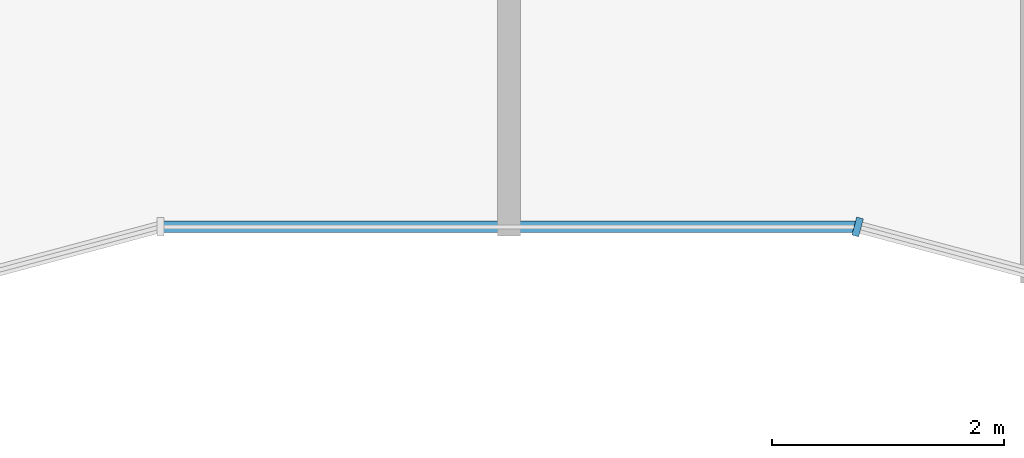
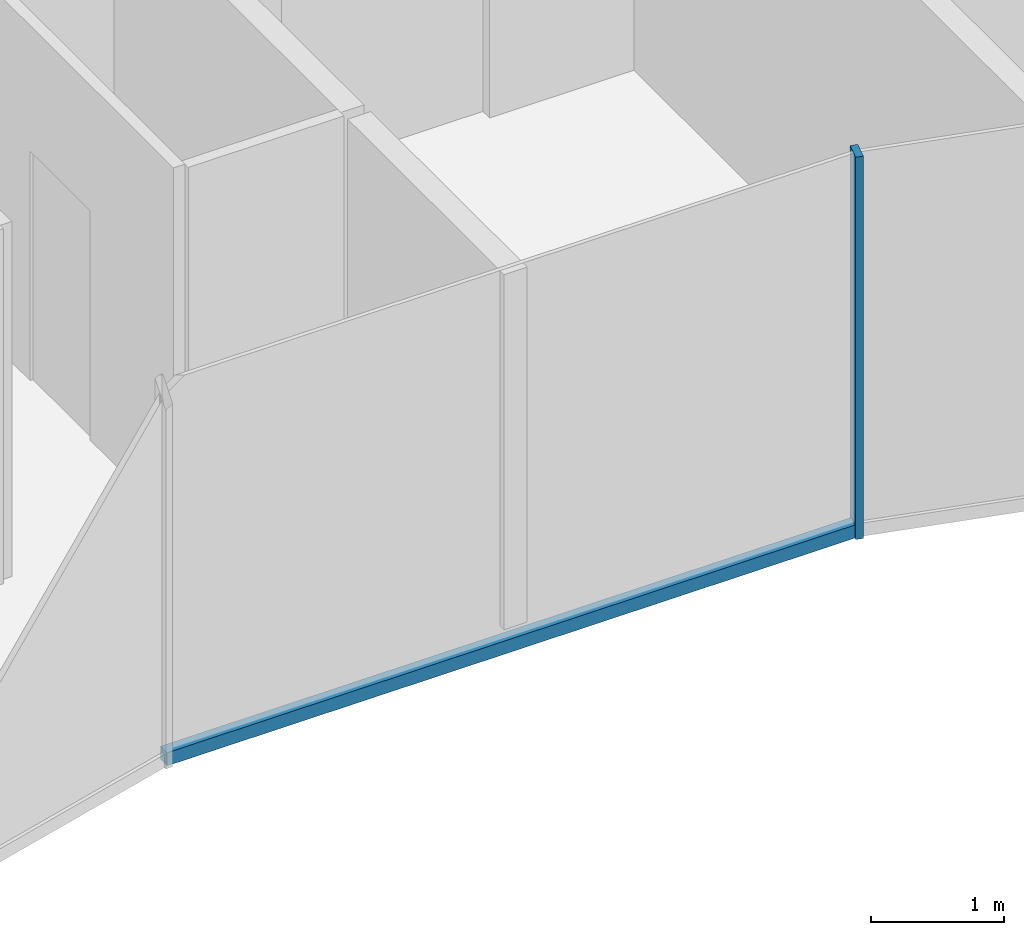
# One storey, part 3 of 10: 2 members, 2 elements without a shape of their own.
"""IFC4 building model written with IfcOpenShell, lengths in metres."""

from ifc_helpers import new_model, si_unit, direction, frame, origin, origin_2d, place, context, subcontext, project, spatial, rectangle, extrude, material, layer, layer_set, material_profile, profile_set, type_object, element, aggregate, save


model = new_model("IFC4")

# Units and contexts
model_context = context("Model", 3, precision=1e-05, world=origin(), true_north=direction((0.0, 1.0)))
body_context = subcontext(model_context, "Body", "Model", "MODEL_VIEW")
ifc_project = project(units=[si_unit("LENGTHUNIT", "METRE"), si_unit("AREAUNIT", "SQUARE_METRE"), si_unit("VOLUMEUNIT", "CUBIC_METRE"), si_unit("PLANEANGLEUNIT", "RADIAN"), si_unit("MASSUNIT", "GRAM", prefix="KILO")], contexts=[model_context])

# Site, building, storey
site_placement = place(None, origin())
site = spatial("IfcSite", under=ifc_project, at=site_placement, CompositionType="ELEMENT")
building_placement = place(site_placement, origin())
building = spatial("IfcBuilding", under=site, at=building_placement, Name="Plateau Cross Towers", CompositionType="ELEMENT")
storey_placement = place(building_placement, frame((0.0, 0.0, 259.89990234375)))
storey = spatial("IfcBuildingStorey", under=building, at=storey_placement, Name="L68", CompositionType="ELEMENT", Elevation=259.89990234375)

# Curtain wall, member
ifc_material_1 = material(Name="Dark low-iron glass", Category="glass")
ifc_layer = layer(ifc_material_1, 0.260009765625)
ifc_layer_set = layer_set([ifc_layer], Name="Dark low-iron glass")
curtain_wall_type = type_object("IfcCurtainWallType", Name="Curtain wall fluted unitised CW-A", PredefinedType="NOTDEFINED", material=ifc_layer_set)
curtain_wall_1_placement = place(storey_placement, origin())
curtain_wall_1 = element("IfcCurtainWall", 1, at=curtain_wall_1_placement, inside=storey, type_object=curtain_wall_type, Name="ENV/A/L68/A300_16", PredefinedType="NOTDEFINED")
ifc_material_2 = material(Name="Black anodised aluminium", Category="aluminium")
ifc_material_profile_1 = material_profile(ifc_material_2, rectangle(XDim=0.06005859375, YDim=0.159912109375, at=origin_2d()), Name="MULLION 60x160")
ifc_profile_set_1 = profile_set([ifc_material_profile_1], Name="Black anodised aluminium")
member_type_1 = type_object("IfcMemberType", Name="Mullion 60x160 fluted unitised", PredefinedType="MULLION", material=ifc_profile_set_1)
member_1_placement = place(storey_placement, frame((30.0, 1.60693359375, -0.25), z_axis=(0.0, 0.0, 1.0), x_axis=(0.965957983404, -0.258699003279, 0.0)))
member_1 = element("IfcMember", 2, at=member_1_placement, type_object=member_type_1, Name="CW-A mullion 1", PredefinedType="MULLION", context=body_context, shape_type="SweptSolid", body=[
    extrude(rectangle(XDim=0.06005859375, YDim=0.159912109375, at=origin_2d()), origin(), (0.0, 0.0, 1.0), 3.5),
])
aggregate(curtain_wall_1, [member_1])

curtain_wall_2_placement = place(storey_placement, origin())
curtain_wall_2 = element("IfcCurtainWall", 3, at=curtain_wall_2_placement, inside=storey, type_object=curtain_wall_type, Name="ENV/A/L68/A240_16", PredefinedType="NOTDEFINED")
ifc_material_profile_2 = material_profile(ifc_material_2, rectangle(XDim=0.10009765625, YDim=0.1201171875, at=origin_2d()), Name="TRANSOM 100x120")
ifc_profile_set_2 = profile_set([ifc_material_profile_2], Name="Black anodised aluminium")
member_type_2 = type_object("IfcMemberType", Name="Transom 100x120 fluted unitised", PredefinedType="USERDEFINED", material=ifc_profile_set_2)
member_2_placement = place(storey_placement, frame((24.0, 1.60693359375, -0.18994140625), z_axis=(1.0, 0.0, 0.0), x_axis=(0.0, 1.0, 0.0)))
member_2 = element("IfcMember", 4, at=member_2_placement, type_object=member_type_2, Name="CW-A transom", ObjectType="TRANSOM", PredefinedType="USERDEFINED", context=body_context, shape_type="SweptSolid", body=[
    extrude(rectangle(XDim=0.10009765625, YDim=0.1201171875, at=origin_2d()), origin(), (0.0, 0.0, 1.0), 6.0),
])
aggregate(curtain_wall_2, [member_2])

save(model, "model.ifc")
